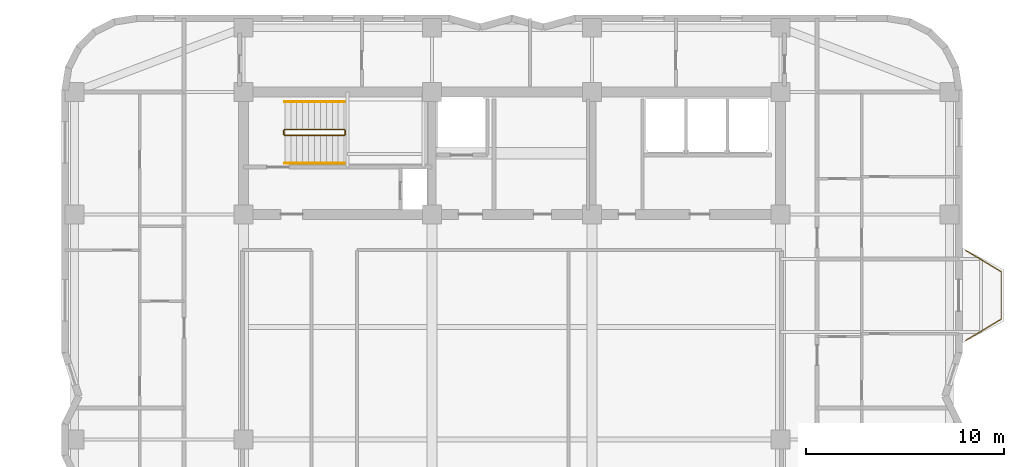
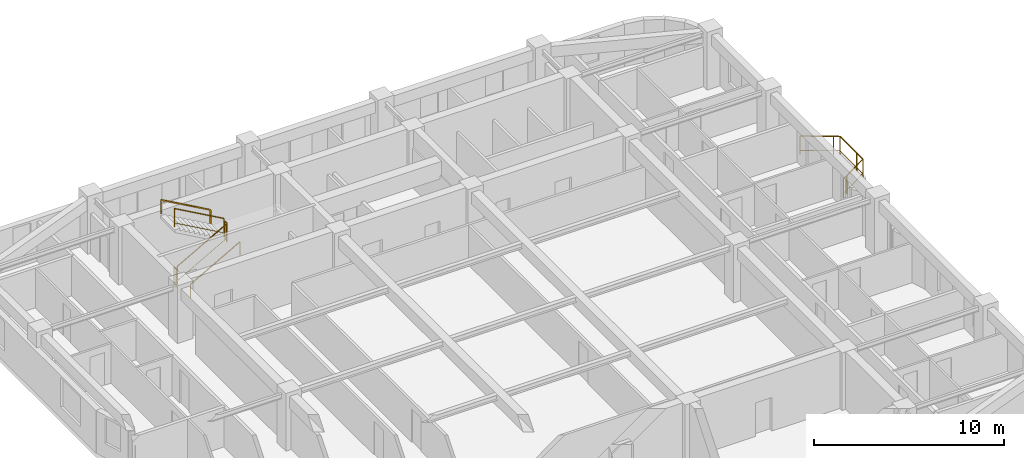
# One storey, part 9 of 9: 7 railings.
"""IFC4 building model written with IfcOpenShell, lengths in metres."""

from ifc_helpers import new_model, si_unit, direction, frame, origin, origin_2d, place, context, subcontext, project, spatial, rectangle, extrude, material, type_object, element, save


model = new_model("IFC4")

# Units and contexts
model_context = context("Model", 3, precision=1e-05, world=origin(), true_north=direction((0.0, 1.0)))
body_context = subcontext(model_context, "Body", "Model", "MODEL_VIEW")
ifc_project = project(units=[si_unit("LENGTHUNIT", "METRE"), si_unit("AREAUNIT", "SQUARE_METRE"), si_unit("VOLUMEUNIT", "CUBIC_METRE"), si_unit("PLANEANGLEUNIT", "RADIAN"), si_unit("MASSUNIT", "GRAM", prefix="KILO")], contexts=[model_context])

# Site, building, storey
site_placement = place(None, origin())
site = spatial("IfcSite", under=ifc_project, at=site_placement, CompositionType="ELEMENT")
building_placement = place(site_placement, origin())
building = spatial("IfcBuilding", under=site, at=building_placement, Name="Svetorya Sky Lyceum", CompositionType="ELEMENT")
storey_placement = place(building_placement, frame((0.0, 0.0, 181.10009765625)))
storey = spatial("IfcBuildingStorey", under=building, at=storey_placement, Name="L45", CompositionType="ELEMENT", Elevation=181.10009765625)

# Railings
ifc_material_1 = material(Name="Laminated safety glass and stainless AISI 316", Category="glass")
railing_type_1 = type_object("IfcRailingType", Name="RL-BAL-1200", PredefinedType="BALUSTRADE", material=ifc_material_1)
railing_1_placement = place(storey_placement, frame((62.169921875, 37.780029296875, 0.0)))
element("IfcRailing", 1, at=railing_1_placement, inside=storey, type_object=railing_type_1, Name="L45 Balcony Balustrade BAL-E1", PredefinedType="BALUSTRADE", context=body_context, shape_type="SweptSolid", body=[
    extrude(rectangle(XDim=0.048095703125, YDim=0.048095703125, at=origin_2d()), frame((0.0, 0.0, 1.17578125), z_axis=(0.857482663744, -0.514512858321, 0.0), x_axis=(0.514512858321, 0.857482663744, 0.0)), (0.0, 0.0, 1.0), 2.09912109375),
    extrude(rectangle(XDim=0.02392578125, YDim=0.02392578125, at=origin_2d()), frame((0.0, 0.0, 0.25), z_axis=(0.857482663744, -0.514512858321, 0.0), x_axis=(0.514512858321, 0.857482663744, 0.0)), (0.0, 0.0, 1.0), 2.09912109375),
    extrude(rectangle(XDim=0.048095703125, YDim=0.048095703125, at=origin_2d()), frame((1.800048828125, -1.080078125, 1.17578125), z_axis=(0.0, -1.0, 0.0), x_axis=(1.0, 0.0, 0.0)), (0.0, 0.0, 1.0), 2.39990234375),
    extrude(rectangle(XDim=0.02392578125, YDim=0.02392578125, at=origin_2d()), frame((1.800048828125, -1.080078125, 0.25), z_axis=(0.0, -1.0, 0.0), x_axis=(1.0, 0.0, 0.0)), (0.0, 0.0, 1.0), 2.39990234375),
    extrude(rectangle(XDim=0.048095703125, YDim=0.048095703125, at=origin_2d()), frame((1.800048828125, -3.47998046875, 1.17578125), z_axis=(-0.857482663744, -0.514512858321, 0.0), x_axis=(0.514512858321, -0.857482663744, 0.0)), (0.0, 0.0, 1.0), 2.09912109375),
    extrude(rectangle(XDim=0.02392578125, YDim=0.02392578125, at=origin_2d()), frame((1.800048828125, -3.47998046875, 0.25), z_axis=(-0.857482663744, -0.514512858321, 0.0), x_axis=(0.514512858321, -0.857482663744, 0.0)), (0.0, 0.0, 1.0), 2.09912109375),
    extrude(rectangle(XDim=0.0419921875, YDim=0.0419921875, at=origin_2d()), origin(), (0.0, 0.0, 1.0), 1.15185546875),
    extrude(rectangle(XDim=0.0419921875, YDim=0.0419921875, at=origin_2d()), frame((1.50048828125, -0.900390625, 0.0)), (0.0, 0.0, 1.0), 1.15185546875),
    extrude(rectangle(XDim=0.0419921875, YDim=0.0419921875, at=origin_2d()), frame((1.800048828125, -1.080078125, 0.0)), (0.0, 0.0, 1.0), 1.15185546875),
    extrude(rectangle(XDim=0.0419921875, YDim=0.0419921875, at=origin_2d()), frame((1.800048828125, -2.830078125, 0.0)), (0.0, 0.0, 1.0), 1.15185546875),
    extrude(rectangle(XDim=0.0419921875, YDim=0.0419921875, at=origin_2d()), frame((1.800048828125, -3.47998046875, 0.0)), (0.0, 0.0, 1.0), 1.15185546875),
    extrude(rectangle(XDim=0.0419921875, YDim=0.0419921875, at=origin_2d()), frame((0.299560546875, -4.38037109375, 0.0)), (0.0, 0.0, 1.0), 1.15185546875),
    extrude(rectangle(XDim=0.0419921875, YDim=0.0419921875, at=origin_2d()), frame((0.0, -4.56005859375, 0.0)), (0.0, 0.0, 1.0), 1.15185546875),
])
ifc_material_2 = material(Name="Painted galvanized stair well guard")
railing_type_2 = type_object("IfcRailingType", Name="RL-STR-GUARD-1200", PredefinedType="GUARDRAIL", material=ifc_material_2)
railing_2_placement = place(storey_placement, frame((27.699951171875, 43.60009765625, 0.16796875)))
element("IfcRailing", 2, at=railing_2_placement, inside=storey, type_object=railing_type_2, Name="L45 ST-N stair guard 1", PredefinedType="GUARDRAIL", context=body_context, shape_type="SweptSolid", body=[
    extrude(rectangle(XDim=0.048095703125, YDim=0.048095703125, at=origin_2d()), frame((0.0, 0.0, 1.17578125), z_axis=(0.872272294576, 0.0, 0.489020494575), x_axis=(0.0, 1.0, 0.0)), (0.0, 0.0, 1.0), 3.439208984375),
    extrude(rectangle(XDim=0.02392578125, YDim=0.02392578125, at=origin_2d()), frame((0.0, 0.0, 0.25), z_axis=(0.872272294576, 0.0, 0.489020494575), x_axis=(0.0, 1.0, 0.0)), (0.0, 0.0, 1.0), 3.439208984375),
    extrude(rectangle(XDim=0.0419921875, YDim=0.0419921875, at=origin_2d()), origin(), (0.0, 0.0, 1.0), 1.15185546875),
    extrude(rectangle(XDim=0.0419921875, YDim=0.0419921875, at=origin_2d()), frame((3.0, 0.0, 1.681884765625)), (0.0, 0.0, 1.0), 1.15185546875),
])
railing_3_placement = place(storey_placement, frame((30.75, 43.64990234375, 1.849853515625)))
element("IfcRailing", 3, at=railing_3_placement, inside=storey, type_object=railing_type_2, Name="L45 ST-N stair guard 2", PredefinedType="GUARDRAIL", context=body_context, shape_type="SweptSolid", body=[
    extrude(rectangle(XDim=0.048095703125, YDim=0.048095703125, at=origin_2d()), frame((0.0, 0.0, 1.17578125), z_axis=(0.0, 1.0, 0.0), x_axis=(-1.0, 0.0, 0.0)), (0.0, 0.0, 1.0), 0.2001953125),
    extrude(rectangle(XDim=0.02392578125, YDim=0.02392578125, at=origin_2d()), frame((0.0, 0.0, 0.25), z_axis=(0.0, 1.0, 0.0), x_axis=(-1.0, 0.0, 0.0)), (0.0, 0.0, 1.0), 0.2001953125),
    extrude(rectangle(XDim=0.0419921875, YDim=0.0419921875, at=origin_2d()), origin(), (0.0, 0.0, 1.0), 1.15185546875),
    extrude(rectangle(XDim=0.0419921875, YDim=0.0419921875, at=origin_2d()), frame((0.0, 0.2001953125, 0.0)), (0.0, 0.0, 1.0), 1.15185546875),
])
railing_4_placement = place(storey_placement, frame((30.699951171875, 43.89990234375, 2.01806640625)))
element("IfcRailing", 4, at=railing_4_placement, inside=storey, type_object=railing_type_2, Name="L45 ST-N stair guard 3", PredefinedType="GUARDRAIL", context=body_context, shape_type="SweptSolid", body=[
    extrude(rectangle(XDim=0.048095703125, YDim=0.048095703125, at=origin_2d()), frame((0.0, 0.0, 1.17578125), z_axis=(-0.872272294576, 0.0, 0.489020494575), x_axis=(0.0, -1.0, 0.0)), (0.0, 0.0, 1.0), 3.439208984375),
    extrude(rectangle(XDim=0.02392578125, YDim=0.02392578125, at=origin_2d()), frame((0.0, 0.0, 0.25), z_axis=(-0.872272294576, 0.0, 0.489020494575), x_axis=(0.0, -1.0, 0.0)), (0.0, 0.0, 1.0), 3.439208984375),
    extrude(rectangle(XDim=0.0419921875, YDim=0.0419921875, at=origin_2d()), origin(), (0.0, 0.0, 1.0), 1.15185546875),
    extrude(rectangle(XDim=0.0419921875, YDim=0.0419921875, at=origin_2d()), frame((-3.0, 0.0, 1.681884765625)), (0.0, 0.0, 1.0), 1.15185546875),
])
railing_5_placement = place(storey_placement, frame((27.64990234375, 43.64990234375, 0.0)))
element("IfcRailing", 5, at=railing_5_placement, inside=storey, type_object=railing_type_2, Name="L45 ST-N stair guard 4", PredefinedType="GUARDRAIL", context=body_context, shape_type="SweptSolid", body=[
    extrude(rectangle(XDim=0.048095703125, YDim=0.048095703125, at=origin_2d()), frame((0.0, 0.0, 1.17578125), z_axis=(0.0, 1.0, 0.0), x_axis=(-1.0, 0.0, 0.0)), (0.0, 0.0, 1.0), 0.2001953125),
    extrude(rectangle(XDim=0.02392578125, YDim=0.02392578125, at=origin_2d()), frame((0.0, 0.0, 0.25), z_axis=(0.0, 1.0, 0.0), x_axis=(-1.0, 0.0, 0.0)), (0.0, 0.0, 1.0), 0.2001953125),
    extrude(rectangle(XDim=0.0419921875, YDim=0.0419921875, at=origin_2d()), origin(), (0.0, 0.0, 1.0), 1.15185546875),
    extrude(rectangle(XDim=0.0419921875, YDim=0.0419921875, at=origin_2d()), frame((0.0, 0.2001953125, 0.0)), (0.0, 0.0, 1.0), 1.15185546875),
])
ifc_material_3 = material(Name="Brushed stainless AISI 304 stair handrail")
railing_type_3 = type_object("IfcRailingType", Name="RL-STR-HAND-920", PredefinedType="HANDRAIL", material=ifc_material_3)
railing_6_placement = place(storey_placement, frame((27.699951171875, 42.199951171875, 0.16796875)))
element("IfcRailing", 6, at=railing_6_placement, inside=storey, type_object=railing_type_3, Name="L45 ST-N stair handrail 1", PredefinedType="HANDRAIL", context=body_context, shape_type="SweptSolid", body=[
    extrude(rectangle(XDim=0.048095703125, YDim=0.048095703125, at=origin_2d()), frame((0.0, 0.0, 0.8759765625), z_axis=(0.872272294576, 0.0, 0.489020494575), x_axis=(0.0, 1.0, 0.0)), (0.0, 0.0, 1.0), 3.439208984375),
    extrude(rectangle(XDim=0.0419921875, YDim=0.0419921875, at=origin_2d()), origin(), (0.0, 0.0, 1.0), 0.851806640625),
    extrude(rectangle(XDim=0.0419921875, YDim=0.0419921875, at=origin_2d()), frame((3.0, 0.0, 1.681884765625)), (0.0, 0.0, 1.0), 0.851806640625),
])
railing_7_placement = place(storey_placement, frame((30.699951171875, 45.300048828125, 2.01806640625)))
element("IfcRailing", 7, at=railing_7_placement, inside=storey, type_object=railing_type_3, Name="L45 ST-N stair handrail 2", PredefinedType="HANDRAIL", context=body_context, shape_type="SweptSolid", body=[
    extrude(rectangle(XDim=0.048095703125, YDim=0.048095703125, at=origin_2d()), frame((0.0, 0.0, 0.8759765625), z_axis=(-0.872272294576, 0.0, 0.489020494575), x_axis=(0.0, -1.0, 0.0)), (0.0, 0.0, 1.0), 3.439208984375),
    extrude(rectangle(XDim=0.0419921875, YDim=0.0419921875, at=origin_2d()), origin(), (0.0, 0.0, 1.0), 0.851806640625),
    extrude(rectangle(XDim=0.0419921875, YDim=0.0419921875, at=origin_2d()), frame((-3.0, 0.0, 1.681884765625)), (0.0, 0.0, 1.0), 0.851806640625),
])

save(model, "model.ifc")
